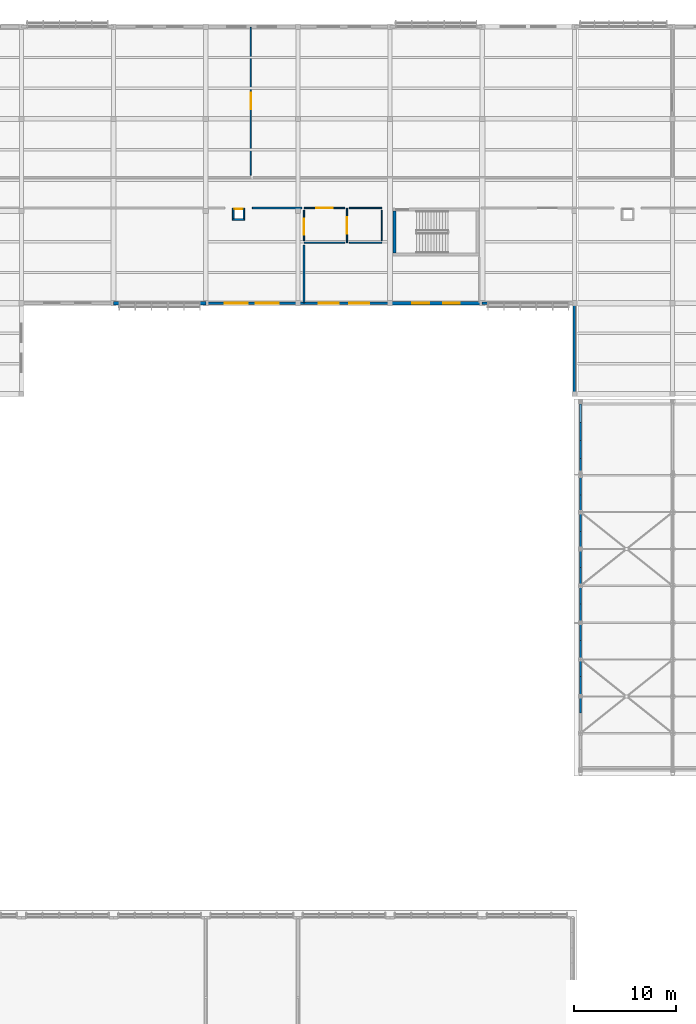
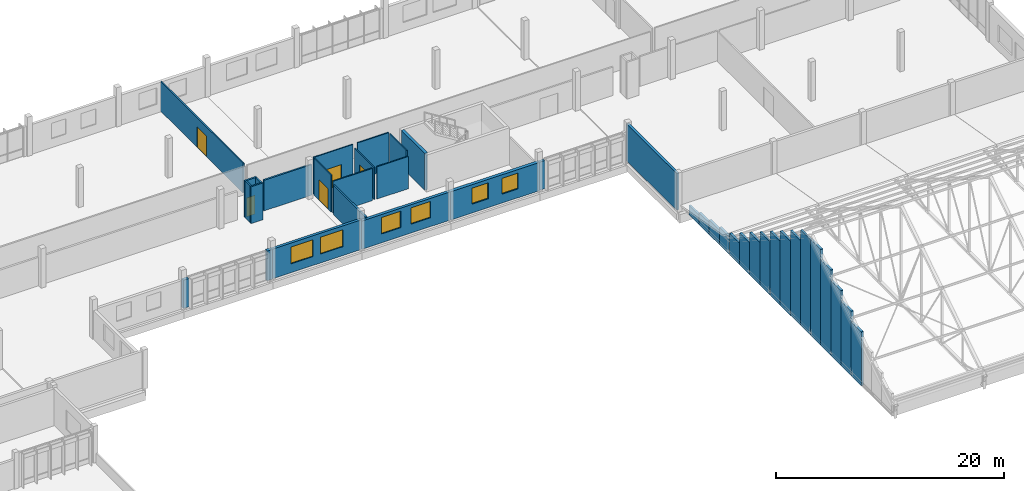
# One storey, part 169 of 182: 39 walls, 6 windows, 5 doors, 11 openings.
"""IFC4 building model written with IfcOpenShell, lengths in metres."""

from ifc_helpers import new_model, si_unit, direction, frame, frame_2d, origin, place, context, subcontext, project, spatial, rectangle, extrude, material, layer, layer_set, type_object, element, fill, save


model = new_model("IFC4")

# Units and contexts
model_context = context("Model", 3, precision=1e-05, world=origin(), true_north=direction((0.0, 1.0)))
body_context = subcontext(model_context, "Body", "Model", "MODEL_VIEW")
ifc_project = project(units=[si_unit("LENGTHUNIT", "METRE"), si_unit("AREAUNIT", "SQUARE_METRE"), si_unit("VOLUMEUNIT", "CUBIC_METRE"), si_unit("PLANEANGLEUNIT", "RADIAN"), si_unit("MASSUNIT", "GRAM", prefix="KILO")], contexts=[model_context])

# Site, building, storey
site_placement = place(None, origin())
site = spatial("IfcSite", under=ifc_project, at=site_placement, CompositionType="ELEMENT")
building_placement = place(site_placement, origin())
building = spatial("IfcBuilding", under=site, at=building_placement, Name="Chiffa Square Polytechnic", CompositionType="ELEMENT")
storey_placement = place(building_placement, frame((0.0, 0.0, 9.60009765625)))
storey = spatial("IfcBuildingStorey", under=building, at=storey_placement, Name="L02", CompositionType="ELEMENT", Elevation=9.60009765625)

# Walls
ifc_material_1 = material(Name="Concrete C40/50", Category="concrete")
ifc_layer_1 = layer(ifc_material_1, 0.300048828125, Name="Concrete C40/50")
ifc_layer_set_1 = layer_set([ifc_layer_1], Name="Concrete C40/50")
wall_type_1 = type_object("IfcWallType", Name="WL-CORE-300", PredefinedType="SHEAR", material=ifc_layer_set_1)
wall_1_placement = place(storey_placement, frame((94.050048828125, 108.699951171875, 0.0), z_axis=(0.0, 0.0, 1.0), x_axis=(0.0, 1.0, 0.0)))
element("IfcWall", 1, at=wall_1_placement, inside=storey, type_object=wall_type_1, Name="Core or enclosure wall WC-CORE-V5B-L02-WEST", PredefinedType="SHEAR", context=body_context, shape_type="SweptSolid", body=[
    extrude(rectangle(XDim=4.10009765625, YDim=0.300048828125, at=frame_2d((2.050048828125, 0.0))), origin(), (0.0, 0.0, 1.0), 3.93994140625),
])
ifc_material_2 = material(Name="Precast concrete C40/50", Category="concrete")
ifc_layer_2 = layer(ifc_material_2, 0.219970703125, Name="Precast concrete C40/50")
ifc_layer_set_2 = layer_set([ifc_layer_2], Name="Precast concrete C40/50")
wall_type_2 = type_object("IfcWallType", Name="WL-EXT-PC220", PredefinedType="SOLIDWALL", material=ifc_layer_set_2)
wall_2_placement = place(storey_placement, frame((112.199951171875, 63.77490234375, 0.0), z_axis=(0.0, 0.0, 1.0), x_axis=(0.0, 1.0, 0.0)))
element("IfcWall", 2, at=wall_2_placement, inside=storey, type_object=wall_type_2, Name="Stepped gable infill wall WE-V2-GBL-W-04", PredefinedType="SOLIDWALL", context=body_context, shape_type="SweptSolid", body=[
    extrude(rectangle(XDim=1.775146484375, YDim=0.219970703125, at=frame_2d((0.8876953125, 0.0))), origin(), (0.0, 0.0, 1.0), 5.751953125),
])
wall_3_placement = place(storey_placement, frame((112.199951171875, 65.550048828125, 0.0), z_axis=(0.0, 0.0, 1.0), x_axis=(0.0, 1.0, 0.0)))
element("IfcWall", 3, at=wall_3_placement, inside=storey, type_object=wall_type_2, Name="Stepped gable infill wall WE-V2-GBL-W-05", PredefinedType="SOLIDWALL", context=body_context, shape_type="SweptSolid", body=[
    extrude(rectangle(XDim=1.77490234375, YDim=0.219970703125, at=frame_2d((0.887451171875, 0.0))), origin(), (0.0, 0.0, 1.0), 6.87890625),
])
wall_4_placement = place(storey_placement, frame((112.199951171875, 67.324951171875, 0.0), z_axis=(0.0, 0.0, 1.0), x_axis=(0.0, 1.0, 0.0)))
element("IfcWall", 4, at=wall_4_placement, inside=storey, type_object=wall_type_2, Name="Stepped gable infill wall WE-V2-GBL-W-06", PredefinedType="SOLIDWALL", context=body_context, shape_type="SweptSolid", body=[
    extrude(rectangle(XDim=1.775146484375, YDim=0.219970703125, at=frame_2d((0.8876953125, 0.0))), origin(), (0.0, 0.0, 1.0), 8.0068359375),
])
wall_5_placement = place(storey_placement, frame((112.199951171875, 69.10009765625, 0.0), z_axis=(0.0, 0.0, 1.0), x_axis=(0.0, 1.0, 0.0)))
element("IfcWall", 5, at=wall_5_placement, inside=storey, type_object=wall_type_2, Name="Stepped gable infill wall WE-V2-GBL-W-07", PredefinedType="SOLIDWALL", context=body_context, shape_type="SweptSolid", body=[
    extrude(rectangle(XDim=1.77490234375, YDim=0.219970703125, at=frame_2d((0.887451171875, 0.0))), origin(), (0.0, 0.0, 1.0), 9.135009765625),
])
wall_6_placement = place(storey_placement, frame((112.199951171875, 70.875, 0.0), z_axis=(0.0, 0.0, 1.0), x_axis=(0.0, 1.0, 0.0)))
element("IfcWall", 6, at=wall_6_placement, inside=storey, type_object=wall_type_2, Name="Stepped gable infill wall WE-V2-GBL-W-08", PredefinedType="SOLIDWALL", context=body_context, shape_type="SweptSolid", body=[
    extrude(rectangle(XDim=1.77490234375, YDim=0.219970703125, at=frame_2d((0.887451171875, 0.0))), origin(), (0.0, 0.0, 1.0), 10.262939453125),
])
wall_7_placement = place(storey_placement, frame((112.199951171875, 72.64990234375, 0.0), z_axis=(0.0, 0.0, 1.0), x_axis=(0.0, 1.0, 0.0)))
element("IfcWall", 7, at=wall_7_placement, inside=storey, type_object=wall_type_2, Name="Stepped gable infill wall WE-V2-GBL-W-09", PredefinedType="SOLIDWALL", context=body_context, shape_type="SweptSolid", body=[
    extrude(rectangle(XDim=1.775146484375, YDim=0.219970703125, at=frame_2d((0.8876953125, 0.0))), origin(), (0.0, 0.0, 1.0), 10.199951171875),
])
wall_8_placement = place(storey_placement, frame((112.199951171875, 74.425048828125, 0.0), z_axis=(0.0, 0.0, 1.0), x_axis=(0.0, 1.0, 0.0)))
element("IfcWall", 8, at=wall_8_placement, inside=storey, type_object=wall_type_2, Name="Stepped gable infill wall WE-V2-GBL-W-10", PredefinedType="SOLIDWALL", context=body_context, shape_type="SweptSolid", body=[
    extrude(rectangle(XDim=1.77490234375, YDim=0.219970703125, at=frame_2d((0.887451171875, 0.0))), origin(), (0.0, 0.0, 1.0), 9.072021484375),
])
wall_9_placement = place(storey_placement, frame((112.199951171875, 76.199951171875, 0.0), z_axis=(0.0, 0.0, 1.0), x_axis=(0.0, 1.0, 0.0)))
element("IfcWall", 9, at=wall_9_placement, inside=storey, type_object=wall_type_2, Name="Stepped gable infill wall WE-V2-GBL-W-11", PredefinedType="SOLIDWALL", context=body_context, shape_type="SweptSolid", body=[
    extrude(rectangle(XDim=1.775146484375, YDim=0.219970703125, at=frame_2d((0.8876953125, 0.0))), origin(), (0.0, 0.0, 1.0), 7.94384765625),
])
wall_10_placement = place(storey_placement, frame((112.199951171875, 77.97509765625, 0.0), z_axis=(0.0, 0.0, 1.0), x_axis=(0.0, 1.0, 0.0)))
element("IfcWall", 10, at=wall_10_placement, inside=storey, type_object=wall_type_2, Name="Stepped gable infill wall WE-V2-GBL-W-12", PredefinedType="SOLIDWALL", context=body_context, shape_type="SweptSolid", body=[
    extrude(rectangle(XDim=1.77490234375, YDim=0.219970703125, at=frame_2d((0.887451171875, 0.0))), origin(), (0.0, 0.0, 1.0), 6.81591796875),
])
wall_11_placement = place(storey_placement, frame((112.199951171875, 79.75, 0.0), z_axis=(0.0, 0.0, 1.0), x_axis=(0.0, 1.0, 0.0)))
element("IfcWall", 11, at=wall_11_placement, inside=storey, type_object=wall_type_2, Name="Stepped gable infill wall WE-V2-GBL-W-13", PredefinedType="SOLIDWALL", context=body_context, shape_type="SweptSolid", body=[
    extrude(rectangle(XDim=1.77490234375, YDim=0.219970703125, at=frame_2d((0.887451171875, 0.0))), origin(), (0.0, 0.0, 1.0), 5.68798828125),
])
wall_12_placement = place(storey_placement, frame((112.199951171875, 81.52490234375, 0.0), z_axis=(0.0, 0.0, 1.0), x_axis=(0.0, 1.0, 0.0)))
element("IfcWall", 12, at=wall_12_placement, inside=storey, type_object=wall_type_2, Name="Stepped gable infill wall WE-V2-GBL-W-14", PredefinedType="SOLIDWALL", context=body_context, shape_type="SweptSolid", body=[
    extrude(rectangle(XDim=1.775146484375, YDim=0.219970703125, at=frame_2d((0.8876953125, 0.0))), origin(), (0.0, 0.0, 1.0), 4.559814453125),
])
wall_13_placement = place(storey_placement, frame((112.199951171875, 83.300048828125, 0.0), z_axis=(0.0, 0.0, 1.0), x_axis=(0.0, 1.0, 0.0)))
element("IfcWall", 13, at=wall_13_placement, inside=storey, type_object=wall_type_2, Name="Stepped gable infill wall WE-V2-GBL-W-15", PredefinedType="SOLIDWALL", context=body_context, shape_type="SweptSolid", body=[
    extrude(rectangle(XDim=1.77490234375, YDim=0.219970703125, at=frame_2d((0.887451171875, 0.0))), origin(), (0.0, 0.0, 1.0), 3.431884765625),
])
wall_14_placement = place(storey_placement, frame((112.199951171875, 85.074951171875, 0.0), z_axis=(0.0, 0.0, 1.0), x_axis=(0.0, 1.0, 0.0)))
element("IfcWall", 14, at=wall_14_placement, inside=storey, type_object=wall_type_2, Name="Stepped gable infill wall WE-V2-GBL-W-16", PredefinedType="SOLIDWALL", context=body_context, shape_type="SweptSolid", body=[
    extrude(rectangle(XDim=1.775146484375, YDim=0.219970703125, at=frame_2d((0.8876953125, 0.0))), origin(), (0.0, 0.0, 1.0), 2.303955078125),
])
wall_15_placement = place(storey_placement, frame((112.199951171875, 86.85009765625, 0.0), z_axis=(0.0, 0.0, 1.0), x_axis=(0.0, 1.0, 0.0)))
element("IfcWall", 15, at=wall_15_placement, inside=storey, type_object=wall_type_2, Name="Stepped gable infill wall WE-V2-GBL-W-17", PredefinedType="SOLIDWALL", context=body_context, shape_type="SweptSolid", body=[
    extrude(rectangle(XDim=1.77490234375, YDim=0.219970703125, at=frame_2d((0.887451171875, 0.0))), origin(), (0.0, 0.0, 1.0), 1.889892578125),
])
wall_16_placement = place(storey_placement, frame((112.199951171875, 88.625, 0.0), z_axis=(0.0, 0.0, 1.0), x_axis=(0.0, 1.0, 0.0)))
element("IfcWall", 16, at=wall_16_placement, inside=storey, type_object=wall_type_2, Name="Stepped gable infill wall WE-V2-GBL-W-18", PredefinedType="SOLIDWALL", context=body_context, shape_type="SweptSolid", body=[
    extrude(rectangle(XDim=1.77490234375, YDim=0.219970703125, at=frame_2d((0.887451171875, 0.0))), origin(), (0.0, 0.0, 1.0), 1.5888671875),
])
wall_17_placement = place(storey_placement, frame((112.199951171875, 90.39990234375, 0.0), z_axis=(0.0, 0.0, 1.0), x_axis=(0.0, 1.0, 0.0)))
element("IfcWall", 17, at=wall_17_placement, inside=storey, type_object=wall_type_2, Name="Stepped gable infill wall WE-V2-GBL-W-19", PredefinedType="SOLIDWALL", context=body_context, shape_type="SweptSolid", body=[
    extrude(rectangle(XDim=1.775146484375, YDim=0.219970703125, at=frame_2d((0.8876953125, 0.0))), origin(), (0.0, 0.0, 1.0), 1.287841796875),
])
wall_18_placement = place(storey_placement, frame((112.199951171875, 92.175048828125, 0.0), z_axis=(0.0, 0.0, 1.0), x_axis=(0.0, 1.0, 0.0)))
element("IfcWall", 18, at=wall_18_placement, inside=storey, type_object=wall_type_2, Name="Stepped gable infill wall WE-V2-GBL-W-20", PredefinedType="SOLIDWALL", context=body_context, shape_type="SweptSolid", body=[
    extrude(rectangle(XDim=1.77490234375, YDim=0.219970703125, at=frame_2d((0.887451171875, 0.0))), origin(), (0.0, 0.0, 1.0), 0.98681640625),
])

# Wall, openings, windows
ifc_layer_3 = layer(ifc_material_2, 0.260009765625, Name="Precast concrete C40/50")
ifc_layer_set_3 = layer_set([ifc_layer_3], Name="Precast concrete C40/50")
wall_type_3 = type_object("IfcWallType", Name="WL-EXT-PC260", PredefinedType="SOLIDWALL", material=ifc_layer_set_3)
wall_19_placement = place(storey_placement, frame((75.60009765625, 103.800048828125, 0.0), z_axis=(0.0, 0.0, 1.0), x_axis=(1.0, 0.0, 0.0)))
wall_19 = element("IfcWall", 19, at=wall_19_placement, inside=storey, type_object=wall_type_3, Name="Exterior wall WE-V5-L02-0297", PredefinedType="SOLIDWALL", context=body_context, shape_type="SweptSolid", body=[
    extrude(rectangle(XDim=9.0, YDim=0.260009765625, at=frame_2d((4.5, 0.0))), origin(), (0.0, 0.0, 1.0), 3.1748046875),
])
opening_1_placement = place(wall_19_placement, frame((1.875, 0.0, 0.949951171875)))
opening_1 = element("IfcOpeningElement", 20, at=opening_1_placement, cuts=wall_19, Name="Opening W-02", PredefinedType="OPENING", context=body_context, shape_type="SweptSolid", body=[
    extrude(rectangle(XDim=2.25, YDim=1.800048828125, at=frame_2d((1.125, 0.89990234375))), frame((0.0, 0.14013671875, 0.0), z_axis=(0.0, -1.0, 0.0), x_axis=(1.0, 0.0, 0.0)), (0.0, 0.0, 1.0), 0.280029296875),
])
opening_2_placement = place(wall_19_placement, frame((4.875, 0.0, 0.949951171875)))
opening_2 = element("IfcOpeningElement", 21, at=opening_2_placement, cuts=wall_19, Name="Opening W-02", PredefinedType="OPENING", context=body_context, shape_type="SweptSolid", body=[
    extrude(rectangle(XDim=2.25, YDim=1.800048828125, at=frame_2d((1.125, 0.89990234375))), frame((0.0, 0.14013671875, 0.0), z_axis=(0.0, -1.0, 0.0), x_axis=(1.0, 0.0, 0.0)), (0.0, 0.0, 1.0), 0.280029296875),
])
ifc_material_3 = material(Name="Double glazing in thermally broken aluminium frame", Category="aluminium")
window_type_1 = type_object("IfcWindowType", Name="WIN-LAB-2250X1800", PartitioningType="DOUBLE_PANEL_VERTICAL", PredefinedType="WINDOW", material=ifc_material_3)
window_1_placement = place(opening_1_placement, origin())
window_1 = element("IfcWindow", 22, at=window_1_placement, inside=storey, type_object=window_type_1, Name="Facade window WN-L02-0190", OverallHeight=1.800048828125, OverallWidth=2.25, PartitioningType="DOUBLE_PANEL_VERTICAL", PredefinedType="WINDOW", context=body_context, shape_type="SweptSolid", body=[
    extrude(rectangle(XDim=2.25, YDim=1.800048828125, at=frame_2d((1.125, 0.89990234375))), frame((0.0, 0.030029296875, 0.0), z_axis=(0.0, -1.0, 0.0), x_axis=(1.0, 0.0, 0.0)), (0.0, 0.0, 1.0), 0.06005859375),
])
fill(opening_1, window_1)
window_2_placement = place(opening_2_placement, origin())
window_2 = element("IfcWindow", 23, at=window_2_placement, inside=storey, type_object=window_type_1, Name="Facade window WN-L02-0191", OverallHeight=1.800048828125, OverallWidth=2.25, PartitioningType="DOUBLE_PANEL_VERTICAL", PredefinedType="WINDOW", context=body_context, shape_type="SweptSolid", body=[
    extrude(rectangle(XDim=2.25, YDim=1.800048828125, at=frame_2d((1.125, 0.89990234375))), frame((0.0, 0.030029296875, 0.0), z_axis=(0.0, -1.0, 0.0), x_axis=(1.0, 0.0, 0.0)), (0.0, 0.0, 1.0), 0.06005859375),
])
fill(opening_2, window_2)

# Wall
wall_20_placement = place(storey_placement, frame((102.60009765625, 103.800048828125, 0.0), z_axis=(0.0, 0.0, 1.0), x_axis=(1.0, 0.0, 0.0)))
element("IfcWall", 24, at=wall_20_placement, inside=storey, type_object=wall_type_3, Name="Facade column pier V5-L02-0300L", PredefinedType="SOLIDWALL", context=body_context, shape_type="SweptSolid", body=[
    extrude(rectangle(XDim=0.539794921875, YDim=0.260009765625, at=frame_2d((0.27001953125, 0.0))), origin(), (0.0, 0.0, 1.0), 3.02490234375),
])

# Wall, openings, windows
ifc_layer_4 = layer(ifc_material_2, 0.280029296875, Name="Precast concrete C40/50")
ifc_layer_set_4 = layer_set([ifc_layer_4], Name="Precast concrete C40/50")
wall_type_4 = type_object("IfcWallType", Name="WL-EXT-PC280", PredefinedType="SOLIDWALL", material=ifc_layer_set_4)
wall_21_placement = place(storey_placement, frame((84.60009765625, 103.800048828125, 0.0), z_axis=(0.0, 0.0, 1.0), x_axis=(1.0, 0.0, 0.0)))
wall_21 = element("IfcWall", 25, at=wall_21_placement, inside=storey, type_object=wall_type_4, Name="Exterior wall WE-V5-L02-0298", PredefinedType="SOLIDWALL", context=body_context, shape_type="SweptSolid", body=[
    extrude(rectangle(XDim=9.0, YDim=0.280029296875, at=frame_2d((4.5, 0.0))), origin(), (0.0, 0.0, 1.0), 3.02490234375),
])
opening_3_placement = place(wall_21_placement, frame((2.02490234375, 0.0, 0.949951171875)))
opening_3 = element("IfcOpeningElement", 26, at=opening_3_placement, cuts=wall_21, Name="Opening W-04", PredefinedType="OPENING", context=body_context, shape_type="SweptSolid", body=[
    extrude(rectangle(XDim=1.949951171875, YDim=1.75, at=frame_2d((0.97509765625, 0.875))), frame((0.0, 0.14990234375, 0.0), z_axis=(0.0, -1.0, 0.0), x_axis=(1.0, 0.0, 0.0)), (0.0, 0.0, 1.0), 0.300048828125),
])
opening_4_placement = place(wall_21_placement, frame((5.02490234375, 0.0, 0.949951171875)))
opening_4 = element("IfcOpeningElement", 27, at=opening_4_placement, cuts=wall_21, Name="Opening W-04", PredefinedType="OPENING", context=body_context, shape_type="SweptSolid", body=[
    extrude(rectangle(XDim=1.949951171875, YDim=1.75, at=frame_2d((0.97509765625, 0.875))), frame((0.0, 0.14990234375, 0.0), z_axis=(0.0, -1.0, 0.0), x_axis=(1.0, 0.0, 0.0)), (0.0, 0.0, 1.0), 0.300048828125),
])
window_type_2 = type_object("IfcWindowType", Name="WIN-LAB-1950X1750", PartitioningType="DOUBLE_PANEL_VERTICAL", PredefinedType="WINDOW", material=ifc_material_3)
window_3_placement = place(opening_3_placement, origin())
window_3 = element("IfcWindow", 28, at=window_3_placement, inside=storey, type_object=window_type_2, Name="Facade window WN-L02-0192", OverallHeight=1.75, OverallWidth=1.949951171875, PartitioningType="DOUBLE_PANEL_VERTICAL", PredefinedType="WINDOW", context=body_context, shape_type="SweptSolid", body=[
    extrude(rectangle(XDim=1.949951171875, YDim=1.75, at=frame_2d((0.97509765625, 0.875))), frame((0.0, 0.030029296875, 0.0), z_axis=(0.0, -1.0, 0.0), x_axis=(1.0, 0.0, 0.0)), (0.0, 0.0, 1.0), 0.06005859375),
])
fill(opening_3, window_3)
window_4_placement = place(opening_4_placement, origin())
window_4 = element("IfcWindow", 29, at=window_4_placement, inside=storey, type_object=window_type_2, Name="Facade window WN-L02-0193", OverallHeight=1.75, OverallWidth=1.949951171875, PartitioningType="DOUBLE_PANEL_VERTICAL", PredefinedType="WINDOW", context=body_context, shape_type="SweptSolid", body=[
    extrude(rectangle(XDim=1.949951171875, YDim=1.75, at=frame_2d((0.97509765625, 0.875))), frame((0.0, 0.030029296875, 0.0), z_axis=(0.0, -1.0, 0.0), x_axis=(1.0, 0.0, 0.0)), (0.0, 0.0, 1.0), 0.06005859375),
])
fill(opening_4, window_4)

# Walls
ifc_layer_5 = layer(ifc_material_2, 0.320068359375, Name="Precast concrete C40/50")
ifc_layer_set_5 = layer_set([ifc_layer_5], Name="Precast concrete C40/50")
wall_type_5 = type_object("IfcWallType", Name="WL-EXT-PC320", PredefinedType="SOLIDWALL", material=ifc_layer_set_5)
wall_22_placement = place(storey_placement, frame((66.60009765625, 103.800048828125, 0.0), z_axis=(0.0, 0.0, 1.0), x_axis=(1.0, 0.0, 0.0)))
element("IfcWall", 30, at=wall_22_placement, inside=storey, type_object=wall_type_5, Name="Facade column pier V5-L02-0296L", PredefinedType="SOLIDWALL", context=body_context, shape_type="SweptSolid", body=[
    extrude(rectangle(XDim=0.539794921875, YDim=0.320068359375, at=frame_2d((0.27001953125, 0.0))), origin(), (0.0, 0.0, 1.0), 3.02490234375),
])
wall_23_placement = place(storey_placement, frame((75.06005859375, 103.800048828125, 0.0), z_axis=(0.0, 0.0, 1.0), x_axis=(1.0, 0.0, 0.0)))
element("IfcWall", 31, at=wall_23_placement, inside=storey, type_object=wall_type_5, Name="Facade column pier V5-L02-0296R", PredefinedType="SOLIDWALL", context=body_context, shape_type="SweptSolid", body=[
    extrude(rectangle(XDim=0.5400390625, YDim=0.320068359375, at=frame_2d((0.27001953125, 0.0))), origin(), (0.0, 0.0, 1.0), 3.1748046875),
])

# Wall, openings, windows
wall_24_placement = place(storey_placement, frame((93.60009765625, 103.800048828125, 0.0), z_axis=(0.0, 0.0, 1.0), x_axis=(1.0, 0.0, 0.0)))
wall_24 = element("IfcWall", 32, at=wall_24_placement, inside=storey, type_object=wall_type_5, Name="Exterior wall WE-V5-L02-0299", PredefinedType="SOLIDWALL", context=body_context, shape_type="SweptSolid", body=[
    extrude(rectangle(XDim=9.0, YDim=0.320068359375, at=frame_2d((4.5, 0.0))), origin(), (0.0, 0.0, 1.0), 3.02490234375),
])
opening_5_placement = place(wall_24_placement, frame((2.175048828125, 0.0, 0.949951171875)))
opening_5 = element("IfcOpeningElement", 33, at=opening_5_placement, cuts=wall_24, Name="Opening W-06", PredefinedType="OPENING", context=body_context, shape_type="SweptSolid", body=[
    extrude(rectangle(XDim=1.64990234375, YDim=1.699951171875, at=frame_2d((0.824951171875, 0.85009765625))), frame((0.0, 0.169921875, 0.0), z_axis=(0.0, -1.0, 0.0), x_axis=(1.0, 0.0, 0.0)), (0.0, 0.0, 1.0), 0.340087890625),
])
opening_6_placement = place(wall_24_placement, frame((5.175048828125, 0.0, 0.949951171875)))
opening_6 = element("IfcOpeningElement", 34, at=opening_6_placement, cuts=wall_24, Name="Opening W-06", PredefinedType="OPENING", context=body_context, shape_type="SweptSolid", body=[
    extrude(rectangle(XDim=1.64990234375, YDim=1.699951171875, at=frame_2d((0.824951171875, 0.85009765625))), frame((0.0, 0.169921875, 0.0), z_axis=(0.0, -1.0, 0.0), x_axis=(1.0, 0.0, 0.0)), (0.0, 0.0, 1.0), 0.340087890625),
])
window_type_3 = type_object("IfcWindowType", Name="WIN-LAB-1650X1700", PartitioningType="DOUBLE_PANEL_VERTICAL", PredefinedType="WINDOW", material=ifc_material_3)
window_5_placement = place(opening_5_placement, origin())
window_5 = element("IfcWindow", 35, at=window_5_placement, inside=storey, type_object=window_type_3, Name="Facade window WN-L02-0194", OverallHeight=1.699951171875, OverallWidth=1.64990234375, PartitioningType="DOUBLE_PANEL_VERTICAL", PredefinedType="WINDOW", context=body_context, shape_type="SweptSolid", body=[
    extrude(rectangle(XDim=1.64990234375, YDim=1.699951171875, at=frame_2d((0.824951171875, 0.85009765625))), frame((0.0, 0.030029296875, 0.0), z_axis=(0.0, -1.0, 0.0), x_axis=(1.0, 0.0, 0.0)), (0.0, 0.0, 1.0), 0.06005859375),
])
fill(opening_5, window_5)
window_6_placement = place(opening_6_placement, origin())
window_6 = element("IfcWindow", 36, at=window_6_placement, inside=storey, type_object=window_type_3, Name="Facade window WN-L02-0195", OverallHeight=1.699951171875, OverallWidth=1.64990234375, PartitioningType="DOUBLE_PANEL_VERTICAL", PredefinedType="WINDOW", context=body_context, shape_type="SweptSolid", body=[
    extrude(rectangle(XDim=1.64990234375, YDim=1.699951171875, at=frame_2d((0.824951171875, 0.85009765625))), frame((0.0, 0.030029296875, 0.0), z_axis=(0.0, -1.0, 0.0), x_axis=(1.0, 0.0, 0.0)), (0.0, 0.0, 1.0), 0.06005859375),
])
fill(opening_6, window_6)

# Wall, opening, door
ifc_material_4 = material(Name="Gypsum board on steel stud", Category="steel")
ifc_layer_6 = layer(ifc_material_4, 0.135009765625, Name="Gypsum board on steel stud")
ifc_layer_set_6 = layer_set([ifc_layer_6], Name="Gypsum board on steel stud")
wall_type_6 = type_object("IfcWallType", Name="WL-PART-135", PredefinedType="PARTITIONING", material=ifc_layer_set_6)
wall_25_placement = place(storey_placement, frame((80.0, 116.320068359375, 0.0), z_axis=(0.0, 0.0, 1.0), x_axis=(0.0, 1.0, 0.0)))
wall_25 = element("IfcWall", 37, at=wall_25_placement, inside=storey, type_object=wall_type_6, Name="Interior partition WP-V5-L02-0478", PredefinedType="PARTITIONING", context=body_context, shape_type="SweptSolid", body=[
    extrude(rectangle(XDim=14.425048828125, YDim=0.135009765625, at=frame_2d((7.21240234375, 0.0))), origin(), (0.0, 0.0, 1.0), 3.1748046875),
])
opening_7_placement = place(wall_25_placement, frame((6.4130859375, 0.0, 0.0)))
opening_7 = element("IfcOpeningElement", 38, at=opening_7_placement, cuts=wall_25, Name="Opening DI-L02-187", PredefinedType="OPENING", context=body_context, shape_type="SweptSolid", body=[
    extrude(rectangle(XDim=1.60009765625, YDim=2.199951171875, at=frame_2d((0.800048828125, 1.10009765625))), frame((0.0, 0.07763671875, 0.0), z_axis=(0.0, -1.0, 0.0), x_axis=(1.0, 0.0, 0.0)), (0.0, 0.0, 1.0), 0.155029296875),
])
ifc_material_5 = material(Name="Vision-panel timber laboratory door", Category="wood")
door_type_1 = type_object("IfcDoorType", Name="DR-LAB-DBL-1600", OperationType="DOUBLE_DOOR_SINGLE_SWING", PredefinedType="DOOR", material=ifc_material_5)
door_1_placement = place(opening_7_placement, origin())
door_1 = element("IfcDoor", 39, at=door_1_placement, inside=storey, type_object=door_type_1, Name="Interior room door DI-L02-187", OperationType="DOUBLE_DOOR_SINGLE_SWING", OverallHeight=2.199951171875, OverallWidth=1.60009765625, PredefinedType="DOOR", context=body_context, shape_type="SweptSolid", body=[
    extrude(rectangle(XDim=1.60009765625, YDim=2.199951171875, at=frame_2d((0.800048828125, 1.10009765625))), frame((0.0, 0.02490234375, 0.0), z_axis=(0.0, -1.0, 0.0), x_axis=(1.0, 0.0, 0.0)), (0.0, 0.0, 1.0), 0.050048828125),
])
fill(opening_7, door_1)

# Wall
ifc_material_6 = material(Name="Gypsum board on acoustic steel stud", Category="steel")
ifc_layer_7 = layer(ifc_material_6, 0.159912109375, Name="Gypsum board on acoustic steel stud")
ifc_layer_set_7 = layer_set([ifc_layer_7], Name="Gypsum board on acoustic steel stud")
wall_type_7 = type_object("IfcWallType", Name="WL-PART-EI60-160", PredefinedType="PARTITIONING", material=ifc_layer_set_7)
wall_26_placement = place(storey_placement, frame((78.199951171875, 111.97998046875, 0.0), z_axis=(0.0, 0.0, 1.0), x_axis=(1.0, 0.0, 0.0)))
element("IfcWall", 40, at=wall_26_placement, inside=storey, type_object=wall_type_7, Name="Core or enclosure wall WP-RSR-V5-M-L02-SOUTH", PredefinedType="PARTITIONING", context=body_context, shape_type="SweptSolid", body=[
    extrude(rectangle(XDim=1.199951171875, YDim=0.159912109375, at=frame_2d((0.60009765625, 0.0))), origin(), (0.0, 0.0, 1.0), 3.93994140625),
])

# Wall, opening, door
wall_27_placement = place(storey_placement, frame((78.199951171875, 113.02001953125, 0.0), z_axis=(0.0, 0.0, 1.0), x_axis=(1.0, 0.0, 0.0)))
wall_27 = element("IfcWall", 41, at=wall_27_placement, inside=storey, type_object=wall_type_7, Name="Core or enclosure wall WP-RSR-V5-M-L02-NORTH", PredefinedType="PARTITIONING", context=body_context, shape_type="SweptSolid", body=[
    extrude(rectangle(XDim=1.199951171875, YDim=0.159912109375, at=frame_2d((0.60009765625, 0.0))), origin(), (0.0, 0.0, 1.0), 3.93994140625),
])
opening_8_placement = place(wall_27_placement, frame((0.175048828125, 0.0, 0.0)))
opening_8 = element("IfcOpeningElement", 42, at=opening_8_placement, cuts=wall_27, Name="Opening DI-L02-R10", PredefinedType="OPENING", context=body_context, shape_type="SweptSolid", body=[
    extrude(rectangle(XDim=0.85009765625, YDim=2.02001953125, at=frame_2d((0.425048828125, 1.010009765625))), frame((0.0, 0.08984375, 0.0), z_axis=(0.0, -1.0, 0.0), x_axis=(1.0, 0.0, 0.0)), (0.0, 0.0, 1.0), 0.179931640625),
])
ifc_material_7 = material(Name="Fire-rated steel riser access door", Category="steel")
door_type_2 = type_object("IfcDoorType", Name="DR-RISER-850", OperationType="NOTDEFINED", PredefinedType="DOOR", material=ifc_material_7)
door_2_placement = place(opening_8_placement, origin())
door_2 = element("IfcDoor", 43, at=door_2_placement, inside=storey, type_object=door_type_2, Name="Enclosure door DI-L02-R10", OperationType="SINGLE_SWING_RIGHT", OverallHeight=2.02001953125, OverallWidth=0.85009765625, PredefinedType="DOOR", context=body_context, shape_type="SweptSolid", body=[
    extrude(rectangle(XDim=0.85009765625, YDim=2.02001953125, at=frame_2d((0.425048828125, 1.010009765625))), frame((0.0, 0.02490234375, 0.0), z_axis=(0.0, -1.0, 0.0), x_axis=(1.0, 0.0, 0.0)), (0.0, 0.0, 1.0), 0.050048828125),
])
fill(opening_8, door_2)

# Walls
for number, where, z_axis, x_axis, name in (
    (44, (78.280029296875, 112.06005859375, 0.0), (0.0, 0.0, 1.0), (0.0, 1.0, 0.0), "Core or enclosure wall WP-RSR-V5-M-L02-WEST"),
    (45, (79.320068359375, 112.06005859375, 0.0), (0.0, 0.0, 1.0), (0.0, 1.0, 0.0), "Core or enclosure wall WP-RSR-V5-M-L02-EAST"),
):
    element("IfcWall", number, at=place(storey_placement, frame(where, z_axis=z_axis, x_axis=x_axis)), inside=storey, type_object=wall_type_7, Name=name, PredefinedType="PARTITIONING", context=body_context, shape_type="SweptSolid", body=[
        extrude(rectangle(XDim=0.8798828125, YDim=0.159912109375, at=frame_2d((0.43994140625, 0.0))), origin(), (0.0, 0.0, 1.0), 3.93994140625),
    ])
wall_28_placement = place(storey_placement, frame((80.14599609375, 113.10009765625, 0.0), z_axis=(0.0, 0.0, 1.0), x_axis=(1.0, 0.0, 0.0)))
element("IfcWall", 46, at=wall_28_placement, inside=storey, type_object=wall_type_7, Name="Interior partition WP-V5-L02-0471", PredefinedType="PARTITIONING", context=body_context, shape_type="SweptSolid", body=[
    extrude(rectangle(XDim=4.833984375, YDim=0.159912109375, at=frame_2d((2.4169921875, 0.0))), origin(), (0.0, 0.0, 1.0), 3.27490234375),
])
wall_29_placement = place(storey_placement, frame((85.199951171875, 103.85498046875, 0.0), z_axis=(0.0, 0.0, 1.0), x_axis=(0.0, 1.0, 0.0)))
element("IfcWall", 47, at=wall_29_placement, inside=storey, type_object=wall_type_7, Name="Interior partition WP-V5-L02-0473", PredefinedType="PARTITIONING", context=body_context, shape_type="SweptSolid", body=[
    extrude(rectangle(XDim=5.625, YDim=0.159912109375, at=frame_2d((2.8125, 0.0))), origin(), (0.0, 0.0, 1.0), 3.1748046875),
])

# Wall, opening, door
ifc_material_8 = material(Name="Moisture-resistant board partition")
ifc_layer_8 = layer(ifc_material_8, 0.1201171875, Name="Moisture-resistant board partition")
ifc_layer_set_8 = layer_set([ifc_layer_8], Name="Moisture-resistant board partition")
wall_type_8 = type_object("IfcWallType", Name="WL-PART-WC-120", PredefinedType="PARTITIONING", material=ifc_layer_set_8)
wall_30_placement = place(storey_placement, frame((89.39990234375, 109.699951171875, 0.0), z_axis=(0.0, 0.0, 1.0), x_axis=(0.0, 1.0, 0.0)))
wall_30 = element("IfcWall", 48, at=wall_30_placement, inside=storey, type_object=wall_type_8, Name="Interior partition WP-V5-L02-0384", PredefinedType="PARTITIONING", context=body_context, shape_type="SweptSolid", body=[
    extrude(rectangle(XDim=3.400146484375, YDim=0.1201171875, at=frame_2d((1.7001953125, 0.0))), origin(), (0.0, 0.0, 1.0), 3.44482421875),
])
opening_9_placement = place(wall_30_placement, frame((0.89990234375, 0.0, 0.0)))
opening_9 = element("IfcOpeningElement", 49, at=opening_9_placement, cuts=wall_30, Name="Opening DI-L02-156", PredefinedType="OPENING", context=body_context, shape_type="SweptSolid", body=[
    extrude(rectangle(XDim=1.60009765625, YDim=2.199951171875, at=frame_2d((0.800048828125, 1.10009765625))), frame((0.0, 0.070068359375, 0.0), z_axis=(0.0, -1.0, 0.0), x_axis=(1.0, 0.0, 0.0)), (0.0, 0.0, 1.0), 0.14013671875),
])
door_3_placement = place(opening_9_placement, origin())
door_3 = element("IfcDoor", 50, at=door_3_placement, inside=storey, type_object=door_type_1, Name="Interior room door DI-L02-156", OperationType="DOUBLE_DOOR_SINGLE_SWING", OverallHeight=2.199951171875, OverallWidth=1.60009765625, PredefinedType="DOOR", context=body_context, shape_type="SweptSolid", body=[
    extrude(rectangle(XDim=1.60009765625, YDim=2.199951171875, at=frame_2d((0.800048828125, 1.10009765625))), frame((0.0, 0.02490234375, 0.0), z_axis=(0.0, -1.0, 0.0), x_axis=(1.0, 0.0, 0.0)), (0.0, 0.0, 1.0), 0.050048828125),
])
fill(opening_9, door_3)

# Walls
wall_31_placement = place(storey_placement, frame((89.6201171875, 109.699951171875, 0.0), z_axis=(0.0, 0.0, 1.0), x_axis=(1.0, 0.0, 0.0)))
element("IfcWall", 51, at=wall_31_placement, inside=storey, type_object=wall_type_8, Name="Interior partition WP-V5-L02-0385", PredefinedType="PARTITIONING", context=body_context, shape_type="SweptSolid", body=[
    extrude(rectangle(XDim=3.179931640625, YDim=0.1201171875, at=frame_2d((1.58984375, 0.0))), origin(), (0.0, 0.0, 1.0), 3.44482421875),
])
wall_32_placement = place(storey_placement, frame((89.6201171875, 113.10009765625, 0.0), z_axis=(0.0, 0.0, 1.0), x_axis=(1.0, 0.0, 0.0)))
element("IfcWall", 52, at=wall_32_placement, inside=storey, type_object=wall_type_8, Name="Interior partition WP-V5-L02-0386", PredefinedType="PARTITIONING", context=body_context, shape_type="SweptSolid", body=[
    extrude(rectangle(XDim=3.179931640625, YDim=0.1201171875, at=frame_2d((1.58984375, 0.0))), origin(), (0.0, 0.0, 1.0), 3.93994140625),
])
wall_33_placement = place(storey_placement, frame((92.800048828125, 109.919921875, 0.0), z_axis=(0.0, 0.0, 1.0), x_axis=(0.0, 1.0, 0.0)))
element("IfcWall", 53, at=wall_33_placement, inside=storey, type_object=wall_type_8, Name="Interior partition WP-V5-L02-0387", PredefinedType="PARTITIONING", context=body_context, shape_type="SweptSolid", body=[
    extrude(rectangle(XDim=2.9599609375, YDim=0.1201171875, at=frame_2d((1.47998046875, 0.0))), origin(), (0.0, 0.0, 1.0), 3.93994140625),
])

# Wall, opening, door
wall_34_placement = place(storey_placement, frame((85.199951171875, 113.10009765625, 0.0), z_axis=(0.0, 0.0, 1.0), x_axis=(1.0, 0.0, 0.0)))
wall_34 = element("IfcWall", 54, at=wall_34_placement, inside=storey, type_object=wall_type_8, Name="Interior partition WP-V5-L02-0395", PredefinedType="PARTITIONING", context=body_context, shape_type="SweptSolid", body=[
    extrude(rectangle(XDim=3.97998046875, YDim=0.1201171875, at=frame_2d((1.989990234375, 0.0))), origin(), (0.0, 0.0, 1.0), 3.93994140625),
])
opening_10_placement = place(wall_34_placement, frame((1.18994140625, 0.0, 0.0)))
opening_10 = element("IfcOpeningElement", 55, at=opening_10_placement, cuts=wall_34, Name="Opening DI-L02-159", PredefinedType="OPENING", context=body_context, shape_type="SweptSolid", body=[
    extrude(rectangle(XDim=1.60009765625, YDim=2.199951171875, at=frame_2d((0.800048828125, 1.10009765625))), frame((0.0, 0.070068359375, 0.0), z_axis=(0.0, -1.0, 0.0), x_axis=(1.0, 0.0, 0.0)), (0.0, 0.0, 1.0), 0.14013671875),
])
door_4_placement = place(opening_10_placement, origin())
door_4 = element("IfcDoor", 56, at=door_4_placement, inside=storey, type_object=door_type_1, Name="Interior room door DI-L02-159", OperationType="DOUBLE_DOOR_SINGLE_SWING", OverallHeight=2.199951171875, OverallWidth=1.60009765625, PredefinedType="DOOR", context=body_context, shape_type="SweptSolid", body=[
    extrude(rectangle(XDim=1.60009765625, YDim=2.199951171875, at=frame_2d((0.800048828125, 1.10009765625))), frame((0.0, 0.02490234375, 0.0), z_axis=(0.0, -1.0, 0.0), x_axis=(1.0, 0.0, 0.0)), (0.0, 0.0, 1.0), 0.050048828125),
])
fill(opening_10, door_4)

# Wall
wall_35_placement = place(storey_placement, frame((85.199951171875, 109.699951171875, 0.0), z_axis=(0.0, 0.0, 1.0), x_axis=(1.0, 0.0, 0.0)))
element("IfcWall", 57, at=wall_35_placement, inside=storey, type_object=wall_type_8, Name="Interior partition WP-V5-L02-0396", PredefinedType="PARTITIONING", context=body_context, shape_type="SweptSolid", body=[
    extrude(rectangle(XDim=3.97998046875, YDim=0.1201171875, at=frame_2d((1.989990234375, 0.0))), origin(), (0.0, 0.0, 1.0), 3.44482421875),
])

# Wall, opening, door
wall_36_placement = place(storey_placement, frame((85.199951171875, 109.919921875, 0.0), z_axis=(0.0, 0.0, 1.0), x_axis=(0.0, 1.0, 0.0)))
wall_36 = element("IfcWall", 58, at=wall_36_placement, inside=storey, type_object=wall_type_8, Name="Interior partition WP-V5-L02-0397", PredefinedType="PARTITIONING", context=body_context, shape_type="SweptSolid", body=[
    extrude(rectangle(XDim=2.9599609375, YDim=0.1201171875, at=frame_2d((1.47998046875, 0.0))), origin(), (0.0, 0.0, 1.0), 3.93994140625),
])
opening_11_placement = place(wall_36_placement, frame((0.551025390625, 0.0, 0.0)))
opening_11 = element("IfcOpeningElement", 59, at=opening_11_placement, cuts=wall_36, Name="Opening DI-L02-160", PredefinedType="OPENING", context=body_context, shape_type="SweptSolid", body=[
    extrude(rectangle(XDim=1.60009765625, YDim=2.199951171875, at=frame_2d((0.800048828125, 1.10009765625))), frame((0.0, 0.070068359375, 0.0), z_axis=(0.0, -1.0, 0.0), x_axis=(1.0, 0.0, 0.0)), (0.0, 0.0, 1.0), 0.14013671875),
])
door_5_placement = place(opening_11_placement, origin())
door_5 = element("IfcDoor", 60, at=door_5_placement, inside=storey, type_object=door_type_1, Name="Interior room door DI-L02-160", OperationType="DOUBLE_DOOR_SINGLE_SWING", OverallHeight=2.199951171875, OverallWidth=1.60009765625, PredefinedType="DOOR", context=body_context, shape_type="SweptSolid", body=[
    extrude(rectangle(XDim=1.60009765625, YDim=2.199951171875, at=frame_2d((0.800048828125, 1.10009765625))), frame((0.0, 0.02490234375, 0.0), z_axis=(0.0, -1.0, 0.0), x_axis=(1.0, 0.0, 0.0)), (0.0, 0.0, 1.0), 0.050048828125),
])
fill(opening_11, door_5)

# Wall
ifc_material_9 = material(Name="Concrete C35/45", Category="concrete")
ifc_layer_9 = layer(ifc_material_9, 0.25, Name="Concrete C35/45")
ifc_layer_set_9 = layer_set([ifc_layer_9], Name="Concrete C35/45")
wall_type_9 = type_object("IfcWallType", Name="WL-SJ-250", PredefinedType="SHEAR", material=ifc_layer_set_9)
wall_37_placement = place(storey_placement, frame((111.60009765625, 103.800048828125, 0.0), z_axis=(0.0, 0.0, 1.0), x_axis=(0.0, -1.0, 0.0)))
element("IfcWall", 61, at=wall_37_placement, inside=storey, type_object=wall_type_9, Name="Seismic-joint fire wall WE-V5-L02-0301", PredefinedType="SHEAR", context=body_context, shape_type="SweptSolid", body=[
    extrude(rectangle(XDim=8.75, YDim=0.25, at=frame_2d((4.375, 0.0))), origin(), (0.0, 0.0, 1.0), 3.93994140625),
])

save(model, "model.ifc")
